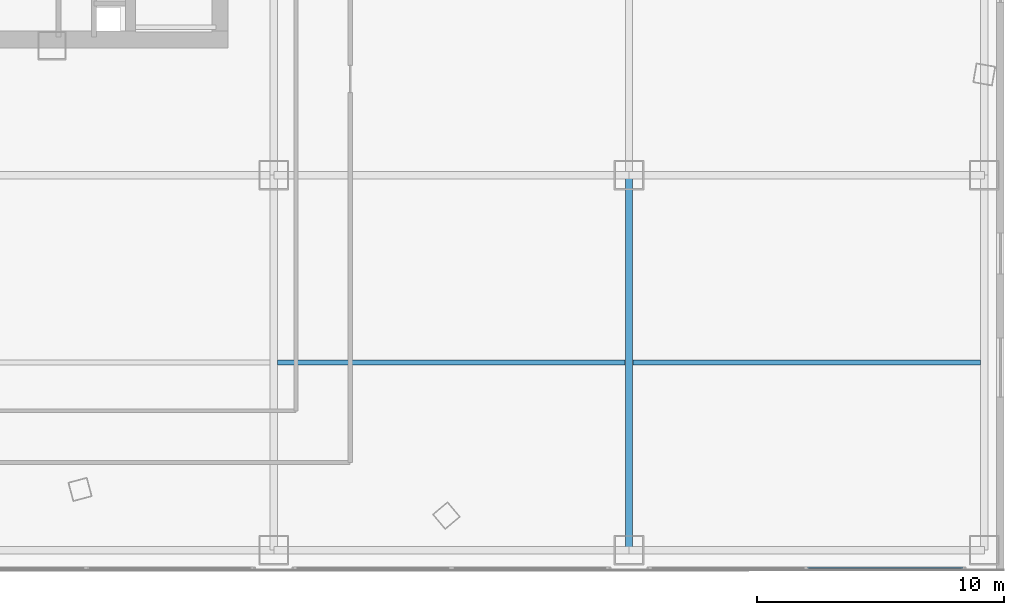
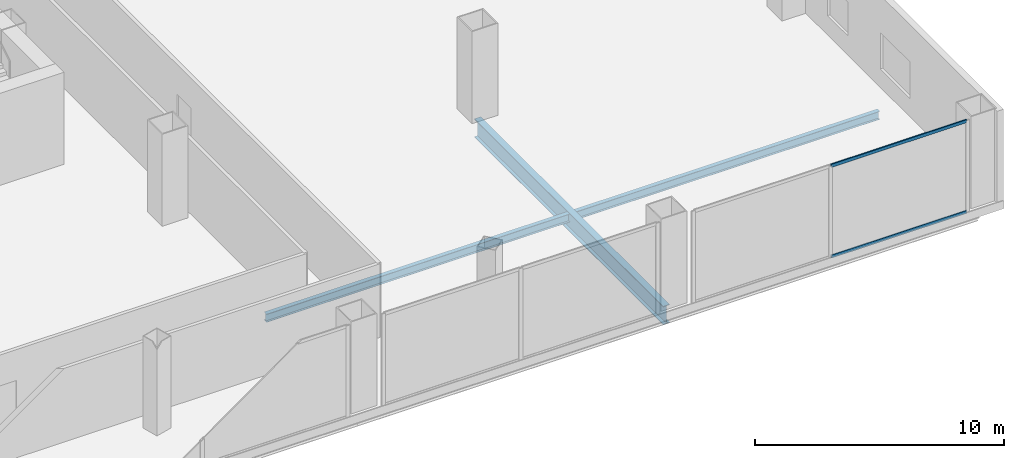
# One storey, part 15 of 27: 3 beams, 2 members, 1 element without a shape of its own.
"""IFC4 building model written with IfcOpenShell, lengths in metres."""

from ifc_helpers import new_model, si_unit, direction, frame, origin, origin_2d, place, context, subcontext, project, spatial, hollow_rectangle, i_section, extrude, source, transform, mapped, material, layer, layer_set, material_profile, profile_set, type_object, element, aggregate, save


model = new_model("IFC4")

# Units and contexts
model_context = context("Model", 3, precision=1e-05, world=origin(), true_north=direction((0.0, 1.0)))
body_context = subcontext(model_context, "Body", "Model", "MODEL_VIEW")
ifc_project = project(units=[si_unit("LENGTHUNIT", "METRE"), si_unit("AREAUNIT", "SQUARE_METRE"), si_unit("VOLUMEUNIT", "CUBIC_METRE"), si_unit("PLANEANGLEUNIT", "RADIAN"), si_unit("MASSUNIT", "GRAM", prefix="KILO"), si_unit("THERMODYNAMICTEMPERATUREUNIT", "KELVIN"), si_unit("POWERUNIT", "WATT")], contexts=[model_context])

# Site, building, storey
site_placement = place(None, origin())
site = spatial("IfcSite", under=ifc_project, at=site_placement, CompositionType="ELEMENT")
building_placement = place(site_placement, origin())
building = spatial("IfcBuilding", under=site, at=building_placement, Name="Yunzhuo Pagoda Commons", CompositionType="ELEMENT")
storey_placement = place(building_placement, frame((0.0, 0.0, 9.60009765625)))
storey = spatial("IfcBuildingStorey", under=building, at=storey_placement, Name="L03", CompositionType="ELEMENT", Elevation=9.60009765625)

# Beams
ifc_material_1 = material(Name="Structural steel Q355B", Category="steel")
ifc_material_profile_1 = material_profile(ifc_material_1, i_section(OverallWidth=0.199951171875, OverallDepth=0.39990234375, WebThickness=0.008056640625, FlangeThickness=0.012939453125, at=origin_2d()), Name="Structural steel Q355B")
ifc_profile_set_1 = profile_set([ifc_material_profile_1], Name="Structural steel Q355B")
beam_type_1 = type_object("IfcBeamType", Name="B-JS1 Joist HN 400x200x8x13", PredefinedType="JOIST", material=ifc_profile_set_1)
shared_shape_1 = source(origin(), body_context, "Body", "SweptSolid", [
    extrude(i_section(OverallWidth=0.199951171875, OverallDepth=0.39990234375, WebThickness=0.008056640625, FlangeThickness=0.012939453125, at=origin_2d()), origin(), (0.0, 0.0, 1.0), 14.08984375),
])
beam_1_placement = place(storey_placement, frame((76.955078125, 14.39990234375, -0.47998046875), z_axis=(1.0, 0.0, 0.0), x_axis=(0.0, 1.0, 0.0)))
element("IfcBeam", 1, at=beam_1_placement, inside=storey, type_object=beam_type_1, Name="L03 podium composite joist 5.1", PredefinedType="JOIST", context=body_context, shape_type="MappedRepresentation", body=[
    mapped(shared_shape_1, transform((0.0, 0.0, 0.0), scale=1.0)),
])
ifc_material_profile_2 = material_profile(ifc_material_1, i_section(OverallWidth=0.300048828125, OverallDepth=0.89990234375, WebThickness=0.01611328125, FlangeThickness=0.028076171875, at=origin_2d()), Name="Structural steel Q355B")
ifc_profile_set_2 = profile_set([ifc_material_profile_2], Name="Structural steel Q355B")
beam_type_2 = type_object("IfcBeamType", Name="B-PD1 Beam HN 900x300x16x28", PredefinedType="BEAM", material=ifc_profile_set_2)
shared_shape_2 = source(origin(), body_context, "Body", "SweptSolid", [
    extrude(i_section(OverallWidth=0.300048828125, OverallDepth=0.89990234375, WebThickness=0.01611328125, FlangeThickness=0.028076171875, at=origin_2d()), origin(), (0.0, 0.0, 1.0), 15.199951171875),
])
beam_2_placement = place(storey_placement, frame((76.800048828125, 6.800048828125, -0.72998046875), z_axis=(0.0, 1.0, 0.0), x_axis=(-1.0, 0.0, 0.0)))
element("IfcBeam", 2, at=beam_2_placement, inside=storey, type_object=beam_type_2, Name="L03 podium girder NS 5.1", PredefinedType="BEAM", context=body_context, shape_type="MappedRepresentation", body=[
    mapped(shared_shape_2, transform((0.0, 0.0, 0.0), scale=1.0)),
])
shared_shape_3 = source(origin(), body_context, "Body", "SweptSolid", [
    extrude(i_section(OverallWidth=0.199951171875, OverallDepth=0.39990234375, WebThickness=0.008056640625, FlangeThickness=0.012939453125, at=origin_2d()), origin(), (0.0, 0.0, 1.0), 14.09033203125),
])
beam_3_placement = place(storey_placement, frame((62.554931640625, 14.39990234375, -0.47998046875), z_axis=(1.0, 0.0, 0.0), x_axis=(0.0, 1.0, 0.0)))
element("IfcBeam", 3, at=beam_3_placement, inside=storey, type_object=beam_type_1, Name="L03 podium composite joist 4.1", PredefinedType="JOIST", context=body_context, shape_type="MappedRepresentation", body=[
    mapped(shared_shape_3, transform((0.0, 0.0, 0.0), scale=1.0)),
])

# Curtain wall, members
ifc_material_2 = material(Name="Anodized aluminium 6063-T6", Category="aluminium")
ifc_layer = layer(ifc_material_2, 0.179931640625)
ifc_layer_set = layer_set([ifc_layer], Name="Anodized aluminium 6063-T6")
curtain_wall_type = type_object("IfcCurtainWallType", Name="CW-POD Waterfront Podium Curtain Wall", PredefinedType="NOTDEFINED", material=ifc_layer_set)
curtain_wall_placement = place(storey_placement, origin())
curtain_wall = element("IfcCurtainWall", 4, at=curtain_wall_placement, inside=storey, type_object=curtain_wall_type, Name="L03 curtain wall CW-L03-S5", PredefinedType="NOTDEFINED")
ifc_material_profile_3 = material_profile(ifc_material_2, hollow_rectangle(XDim=0.06005859375, YDim=0.14990234375, WallThickness=0.00390625, at=origin_2d()), Name="Anodized aluminium 6063-T6")
ifc_profile_set_3 = profile_set([ifc_material_profile_3], Name="Anodized aluminium 6063-T6")
member_type = type_object("IfcMemberType", Name="CW-POD-T Transom RHS 150x60x4", PredefinedType="USERDEFINED", material=ifc_profile_set_3)
shared_shape_4 = source(origin(), body_context, "Body", "SweptSolid", [
    extrude(hollow_rectangle(XDim=0.06005859375, YDim=0.14990234375, WallThickness=0.00390625, at=origin_2d()), origin(), (0.0, 0.0, 1.0), 6.302490234375),
])
member_1_placement = place(storey_placement, frame((84.032470703125, 6.080078125, 0.02978515625), z_axis=(1.0, 0.0, 0.0), x_axis=(0.0, 1.0, 0.0)))
member_1 = element("IfcMember", 5, at=member_1_placement, type_object=member_type, Name="CW transom 2.1", ObjectType="TRANSOM", PredefinedType="USERDEFINED", context=body_context, shape_type="MappedRepresentation", body=[
    mapped(shared_shape_4, transform((0.0, 0.0, 0.0), scale=1.0)),
])
member_2_placement = place(storey_placement, frame((84.032470703125, 6.080078125, 4.489990234375), z_axis=(1.0, 0.0, 0.0), x_axis=(0.0, 1.0, 0.0)))
member_2 = element("IfcMember", 6, at=member_2_placement, type_object=member_type, Name="CW transom 2.2", ObjectType="TRANSOM", PredefinedType="USERDEFINED", context=body_context, shape_type="MappedRepresentation", body=[
    mapped(shared_shape_4, transform((0.0, 0.0, 0.0), scale=1.0)),
])
aggregate(curtain_wall, [member_1, member_2])

save(model, "model.ifc")
